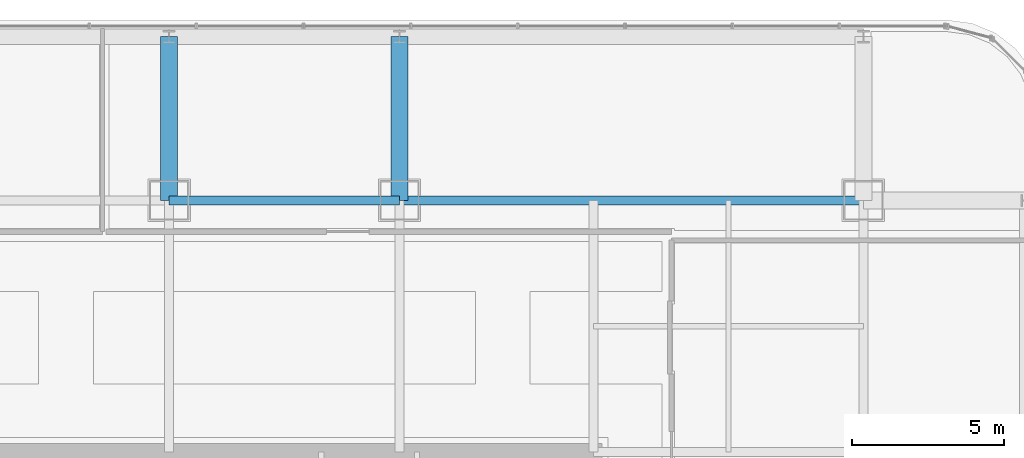
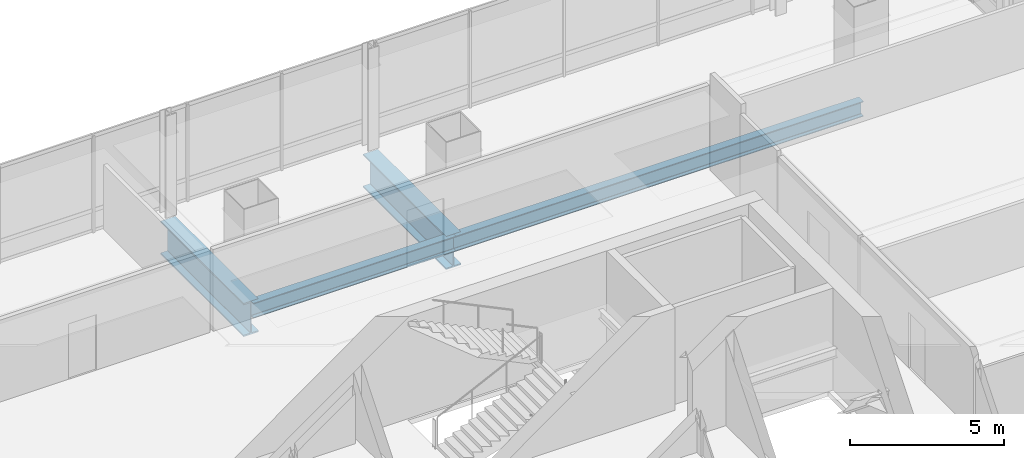
# One storey, part 26 of 42: 4 beams.
"""IFC4 building model written with IfcOpenShell, lengths in metres."""

import ifcopenshell
import ifcopenshell.guid

model = None  # the IFC model being written
_history = None  # IfcOwnerHistory: only IFC2X3 demands one
_inside = {}  # id of a spatial element -> (the spatial element, [elements in it])
_under = {}  # id of a project, library or spatial element -> (it, [spatial elements below it])
_declared = {}  # id of a project -> (the project, [libraries it declares])
_typed = {}  # id of a type object -> (the type object, [elements of that type])
_made_of = {}  # id of a material, layer set ... -> (it, [elements and type objects made of it])


def new_model(schema):
    """Start an empty IFC model of exactly this schema.

    Asked for "IFC4X3", IfcOpenShell would pick the latest addendum, in which some entities
    have other attributes; the version numbers below select the first issue.
    IFC2X3 requires an IfcOwnerHistory on every rooted entity: one is made here for all.
    """
    global model, _history
    if schema == "IFC4X3":
        model = ifcopenshell.file(schema_version=(4, 3, 0, 0))
    else:
        model = ifcopenshell.file(schema=schema)
    _inside.clear()
    _under.clear()
    _declared.clear()
    _typed.clear()
    _made_of.clear()
    _history = None
    if model.schema == "IFC2X3":
        org = make("IfcOrganization", Name="unknown")
        user = make(
            "IfcPersonAndOrganization",
            ThePerson=make("IfcPerson", FamilyName="unknown"),
            TheOrganization=org,
        )
        app = make(
            "IfcApplication",
            ApplicationDeveloper=org,
            Version="unknown",
            ApplicationFullName="unknown",
            ApplicationIdentifier="unknown",
        )
        _history = make(
            "IfcOwnerHistory",
            OwningUser=user,
            OwningApplication=app,
            ChangeAction="ADDED",
            CreationDate=0,
        )
    return model


def make(cls, **values):
    """One entity of the class cls with the attributes given. An attribute that is None is left unset."""
    return model.create_entity(
        cls, **{name: value for name, value in values.items() if value is not None}
    )


def rooted(cls, **values):
    """An entity with a GlobalId (a new one), such as an element, a storey or a relation."""
    return make(cls, GlobalId=ifcopenshell.guid.new(), OwnerHistory=_history, **values)


def si_unit(unit_type, name, prefix=None):
    """IfcSIUnit, for example si_unit("LENGTHUNIT", "METRE", prefix="MILLI")."""
    return make("IfcSIUnit", UnitType=unit_type, Prefix=prefix, Name=name)


def assignment(units):
    """IfcUnitAssignment: the units of a project."""
    return None if units is None else make("IfcUnitAssignment", Units=units)


def point(xyz):
    """IfcCartesianPoint."""
    return None if xyz is None else make("IfcCartesianPoint", Coordinates=xyz)


def direction(xyz):
    """IfcDirection."""
    return None if xyz is None else make("IfcDirection", DirectionRatios=xyz)


def frame(location, z_axis=None, x_axis=None):
    """IfcAxis2Placement3D, a coordinate frame: its origin and axes. An axis left out is left unset."""
    return make(
        "IfcAxis2Placement3D",
        Location=point(location),
        Axis=direction(z_axis),
        RefDirection=direction(x_axis),
    )


def frame_2d(location, x_axis=None):
    """IfcAxis2Placement2D, a coordinate frame in the plane: its origin and x axis."""
    return make(
        "IfcAxis2Placement2D", Location=point(location), RefDirection=direction(x_axis)
    )


def origin():
    """The frame at (0, 0, 0) with its axes left unset."""
    return frame((0.0, 0.0, 0.0))


def origin_2d():
    """The frame at (0, 0) in the plane with its x axis left unset."""
    return frame_2d((0.0, 0.0))


def place(relative_to, where):
    """IfcLocalPlacement: puts the frame where relative to a parent placement (None: the world)."""
    return make(
        "IfcLocalPlacement", PlacementRelTo=relative_to, RelativePlacement=where
    )


def context(
    kind, dimensions, precision=None, world=None, true_north=None, identifier=None
):
    """IfcGeometricRepresentationContext, for example the 3D "Model" context."""
    return make(
        "IfcGeometricRepresentationContext",
        ContextIdentifier=identifier,
        ContextType=kind,
        CoordinateSpaceDimension=dimensions,
        Precision=precision,
        WorldCoordinateSystem=world,
        TrueNorth=true_north,
    )


def subcontext(parent, identifier, kind, view, scale=None):
    """IfcGeometricRepresentationSubContext, for example "Body" below "Model"."""
    return make(
        "IfcGeometricRepresentationSubContext",
        ContextIdentifier=identifier,
        ContextType=kind,
        ParentContext=parent,
        TargetScale=scale,
        TargetView=view,
    )


def project(units=None, contexts=None):
    """IfcProject with its units and contexts."""
    return rooted(
        "IfcProject",
        Name="project",
        RepresentationContexts=contexts,
        UnitsInContext=assignment(units),
    )


def spatial(cls, under=None, at=None, **own):
    """A site, building, storey or space (cls), placed at a placement, below another one or the project."""
    s = rooted(cls, ObjectPlacement=at, **own)
    if under is not None:
        _under.setdefault(under.id(), (under, []))[1].append(s)
    return s


def profile(cls, at=None, kind="AREA", **sizes):
    """A parametric profile (cls). Its sizes go by their IFC names, for example OverallWidth=200.0."""
    return make(cls, ProfileType=kind, Position=at, **sizes)


def i_section(**sizes):
    """IfcIShapeProfileDef."""
    return profile("IfcIShapeProfileDef", **sizes)


def extrude(swept, where, along, depth):
    """IfcExtrudedAreaSolid: the profile swept, set in the frame where, extruded along a direction by depth."""
    return make(
        "IfcExtrudedAreaSolid",
        SweptArea=swept,
        Position=where,
        ExtrudedDirection=direction(along),
        Depth=depth,
    )


def shape(context_of_items, identifier, shape_type, items):
    """IfcShapeRepresentation: the items that make up one representation, for example the "Body"."""
    return make(
        "IfcShapeRepresentation",
        ContextOfItems=context_of_items,
        RepresentationIdentifier=identifier,
        RepresentationType=shape_type,
        Items=items,
    )


def material(Name=None, Category=None):
    """IfcMaterial."""
    return make("IfcMaterial", Name=Name, Category=Category)


def material_profile(
    of_material, cross_section, Name=None, Category=None, Priority=None
):
    """IfcMaterialProfile: a cross section and its material."""
    return make(
        "IfcMaterialProfile",
        Name=Name,
        Material=of_material,
        Profile=cross_section,
        Priority=Priority,
        Category=Category,
    )


def profile_set(profiles, Name=None, composite=None):
    """IfcMaterialProfileSet."""
    return make(
        "IfcMaterialProfileSet",
        Name=Name,
        MaterialProfiles=profiles,
        CompositeProfile=composite,
    )


def made_of(thing, what):
    """Note that an element or type object is made of a material, layer set ...; save() writes the relation."""
    if what is not None:
        _made_of.setdefault(what.id(), (what, []))[1].append(thing)
    return thing


def type_object(cls, material=None, **own):
    """A type object (cls), such as IfcWallType, which elements share."""
    return made_of(rooted(cls, **own), material)


def element(
    cls,
    number,
    at=None,
    inside=None,
    cuts=None,
    type_object=None,
    material=None,
    context=None,
    identifier="Body",
    shape_type=None,
    held_by="IfcProductDefinitionShape",
    body=None,
    shapes=None,
    **own,
):
    """One element of the class cls, such as IfcWall. Its Tag is "e" and its number.

    at: its placement. inside: the storey or other place that contains it. cuts: it is an
    opening in that element (IfcRelVoidsElement). A single representation is given by context,
    identifier, shape_type and body (its items); several are given by shapes. held_by: the class
    of the entity that holds the representations. save() writes the other relations.
    """
    e = rooted(cls, Tag="e%d" % number, ObjectPlacement=at, **own)
    if body is not None:
        shapes = [shape(context, identifier, shape_type, body)]
    if shapes is not None:
        e.Representation = make(held_by, Representations=shapes)
    if inside is not None:
        _inside.setdefault(inside.id(), (inside, []))[1].append(e)
    if cuts is not None:
        rooted(
            "IfcRelVoidsElement", RelatingBuildingElement=cuts, RelatedOpeningElement=e
        )
    if type_object is not None:
        _typed.setdefault(type_object.id(), (type_object, []))[1].append(e)
    return made_of(e, material)


def aggregate(whole, parts):
    """IfcRelAggregates: a whole, such as a stair, and the parts it consists of."""
    return rooted("IfcRelAggregates", RelatingObject=whole, RelatedObjects=parts)


def save(model, path):
    """Write the relations noted so far, then the file.

    IfcRelAggregates (storeys below a building ...), IfcRelContainedInSpatialStructure (elements
    in a storey), IfcRelDefinesByType, IfcRelAssociatesMaterial and IfcRelDeclares: one each for
    every whole, place, type object, material and project.
    """
    for whole, parts in _under.values():
        aggregate(whole, parts)
    for where, things in _inside.values():
        rooted(
            "IfcRelContainedInSpatialStructure",
            RelatedElements=things,
            RelatingStructure=where,
        )
    for kind, things in _typed.values():
        rooted("IfcRelDefinesByType", RelatedObjects=things, RelatingType=kind)
    for what, things in _made_of.values():
        rooted("IfcRelAssociatesMaterial", RelatedObjects=things, RelatingMaterial=what)
    for by, libraries in _declared.values():
        rooted("IfcRelDeclares", RelatingContext=by, RelatedDefinitions=libraries)
    model.write(path)


model = new_model("IFC4")

# Units and contexts
model_context = context("Model", 3, precision=1e-05, world=origin(), true_north=direction((0.0, 1.0)))
body_context = subcontext(model_context, "Body", "Model", "MODEL_VIEW")
ifc_project = project(units=[si_unit("LENGTHUNIT", "METRE"), si_unit("AREAUNIT", "SQUARE_METRE"), si_unit("VOLUMEUNIT", "CUBIC_METRE"), si_unit("PLANEANGLEUNIT", "RADIAN"), si_unit("MASSUNIT", "GRAM", prefix="KILO")], contexts=[model_context])

# Site, building, storey
site_placement = place(None, origin())
site = spatial("IfcSite", under=ifc_project, at=site_placement, CompositionType="ELEMENT")
building_placement = place(site_placement, origin())
building = spatial("IfcBuilding", under=site, at=building_placement, Name="Punatoya Terracotta Tower", CompositionType="ELEMENT")
storey_placement = place(building_placement, frame((0.0, 0.0, 255.449951171875)))
storey = spatial("IfcBuildingStorey", under=building, at=storey_placement, Name="L60", CompositionType="ELEMENT", Elevation=255.449951171875)

# Beams
ifc_material_1 = material(Name="Steel S355", Category="steel")
ifc_material_profile_1 = material_profile(ifc_material_1, i_section(OverallWidth=0.300048828125, OverallDepth=0.60009765625, WebThickness=0.015380859375, FlangeThickness=0.030029296875, FilletRadius=0.01806640625, at=origin_2d()))
ifc_profile_set_1 = profile_set([ifc_material_profile_1], Name="Steel S355")
beam_type_1 = type_object("IfcBeamType", Name="BM-PRI-600", PredefinedType="BEAM", material=ifc_profile_set_1)
beam_1_placement = place(storey_placement, frame((-3.800048828125, 17.5, -0.5), z_axis=(1.0, 0.0, 0.0), x_axis=(0.0, 1.0, 0.0)))
element("IfcBeam", 1, at=beam_1_placement, inside=storey, type_object=beam_type_1, Name="BM-L60-RG-N2", PredefinedType="BEAM", context=body_context, shape_type="SweptSolid", body=[
    extrude(i_section(OverallWidth=0.300048828125, OverallDepth=0.60009765625, WebThickness=0.015380859375, FlangeThickness=0.030029296875, FilletRadius=0.01806640625, at=origin_2d()), origin(), (0.0, 0.0, 1.0), 7.60009765625),
])
beam_2_placement = place(storey_placement, frame((3.800048828125, 17.5, -0.5), z_axis=(1.0, 0.0, 0.0), x_axis=(0.0, 1.0, 0.0)))
element("IfcBeam", 2, at=beam_2_placement, inside=storey, type_object=beam_type_1, Name="BM-L60-RG-N3", PredefinedType="BEAM", context=body_context, shape_type="SweptSolid", body=[
    extrude(i_section(OverallWidth=0.300048828125, OverallDepth=0.60009765625, WebThickness=0.015380859375, FlangeThickness=0.030029296875, FilletRadius=0.01806640625, at=origin_2d()), origin(), (0.0, 0.0, 1.0), 15.300048828125),
])
ifc_material_2 = material(Name="Steel S460", Category="steel")
ifc_material_profile_2 = material_profile(ifc_material_2, i_section(OverallWidth=0.56005859375, OverallDepth=1.320068359375, WebThickness=0.035888671875, FlangeThickness=0.054931640625, FilletRadius=0.01806640625, at=origin_2d()))
ifc_profile_set_2 = profile_set([ifc_material_profile_2], Name="Steel S460")
beam_type_2 = type_object("IfcBeamType", Name="BM-TG-BLK", PredefinedType="BEAM", material=ifc_profile_set_2)
for number, where, z_axis, x_axis, name in (
    (3, (-3.800048828125, 17.5, -0.85986328125), (0.0, 1.0, 0.0), (-1.0, 0.0, 0.0), "BM-L60-CANT-N2"),
    (4, (3.800048828125, 17.5, -0.85986328125), (0.0, 1.0, 0.0), (-1.0, 0.0, 0.0), "BM-L60-CANT-N3"),
):
    element("IfcBeam", number, at=place(storey_placement, frame(where, z_axis=z_axis, x_axis=x_axis)), inside=storey, type_object=beam_type_2, Name=name, PredefinedType="BEAM", context=body_context, shape_type="SweptSolid", body=[
        extrude(i_section(OverallWidth=0.56005859375, OverallDepth=1.320068359375, WebThickness=0.035888671875, FlangeThickness=0.054931640625, FilletRadius=0.01806640625, at=origin_2d()), origin(), (0.0, 0.0, 1.0), 5.39990234375),
    ])

save(model, "model.ifc")
